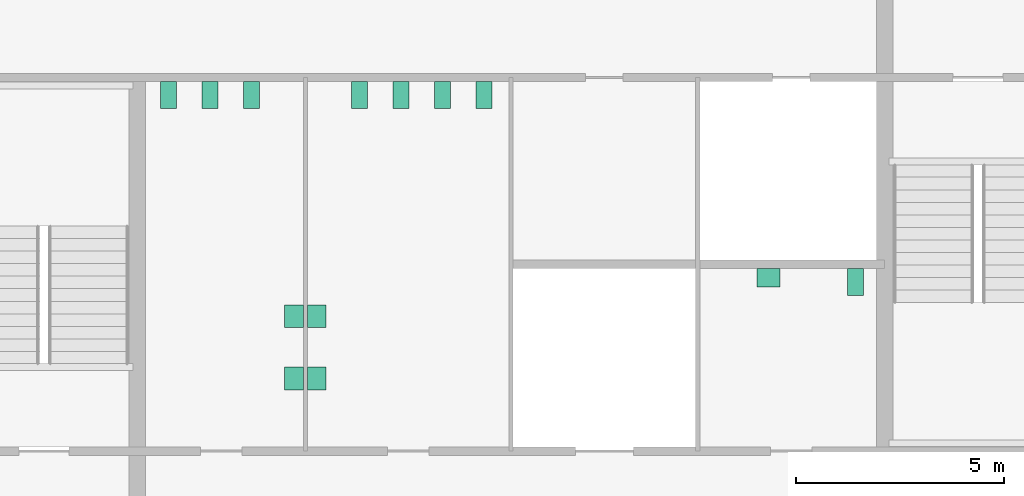
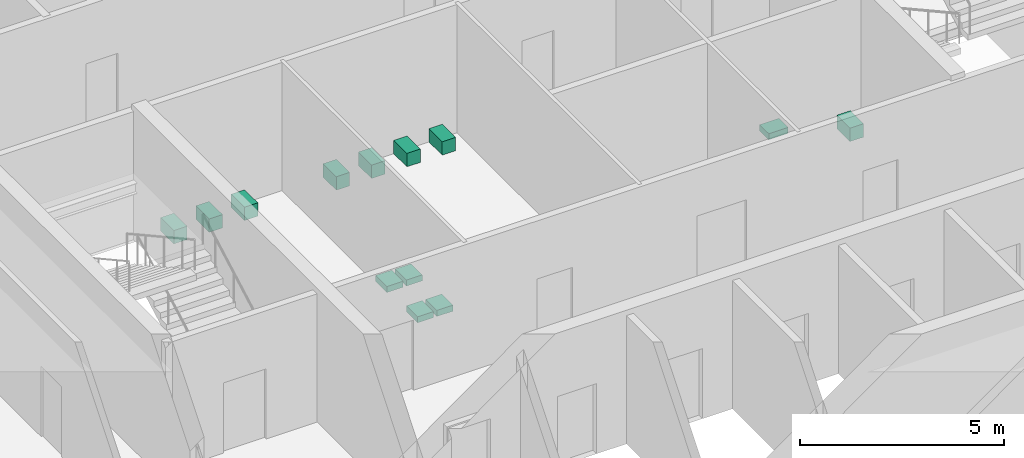
# One storey, part 13 of 13: 13 sanitary terminals.
"""IFC4 building model written with IfcOpenShell, lengths in metres."""

from ifc_helpers import new_model, si_unit, direction, frame, origin, origin_2d, place, context, subcontext, project, spatial, rectangle, extrude, material, type_object, element, save


model = new_model("IFC4")

# Units and contexts
model_context = context("Model", 3, precision=1e-05, world=origin(), true_north=direction((0.0, 1.0)))
body_context = subcontext(model_context, "Body", "Model", "MODEL_VIEW")
ifc_project = project(units=[si_unit("LENGTHUNIT", "METRE"), si_unit("AREAUNIT", "SQUARE_METRE"), si_unit("VOLUMEUNIT", "CUBIC_METRE"), si_unit("PLANEANGLEUNIT", "RADIAN"), si_unit("MASSUNIT", "GRAM", prefix="KILO")], contexts=[model_context])

# Site, building, storey
site_placement = place(None, origin())
site = spatial("IfcSite", under=ifc_project, at=site_placement, CompositionType="ELEMENT")
building_placement = place(site_placement, origin())
building = spatial("IfcBuilding", under=site, at=building_placement, Name="Corais Broadcast Tower", CompositionType="ELEMENT")
storey_placement = place(building_placement, frame((0.0, 0.0, 222.60009765625)))
storey = spatial("IfcBuildingStorey", under=building, at=storey_placement, Name="L51", CompositionType="ELEMENT", Elevation=222.60009765625)

# Sanitary terminals
ifc_material_1 = material(Name="Vitreous china", Category="ceramic")
sanitary_terminal_type_1 = type_object("IfcSanitaryTerminalType", Name="WC pan 380x650", PredefinedType="TOILETPAN", material=ifc_material_1)
for number, where, z_axis, x_axis, name in (
    (1, (18.75, 31.074951171875, 0.0), (0.0, 0.0, 1.0), (1.0, 0.0, 0.0), "SW1 WC pan, male toilets L51"),
    (2, (19.75, 31.074951171875, 0.0), (0.0, 0.0, 1.0), (1.0, 0.0, 0.0), "SW1 WC pan, male toilets L51"),
    (3, (20.75, 31.074951171875, 0.0), (0.0, 0.0, 1.0), (1.0, 0.0, 0.0), "SW1 WC pan, male toilets L51"),
    (4, (23.35009765625, 31.074951171875, 0.0), (0.0, 0.0, 1.0), (1.0, 0.0, 0.0), "SW1 WC pan, female toilets L51"),
    (5, (24.35009765625, 31.074951171875, 0.0), (0.0, 0.0, 1.0), (1.0, 0.0, 0.0), "SW1 WC pan, female toilets L51"),
    (6, (25.35009765625, 31.074951171875, 0.0), (0.0, 0.0, 1.0), (1.0, 0.0, 0.0), "SW1 WC pan, female toilets L51"),
    (7, (26.35009765625, 31.074951171875, 0.0), (0.0, 0.0, 1.0), (1.0, 0.0, 0.0), "SW1 WC pan, female toilets L51"),
    (8, (35.300048828125, 26.574951171875, 0.0), (0.0, 0.0, 1.0), (1.0, 0.0, 0.0), "SW1 WC pan, accessible WC L51"),
):
    element("IfcSanitaryTerminal", number, at=place(storey_placement, frame(where, z_axis=z_axis, x_axis=x_axis)), inside=storey, type_object=sanitary_terminal_type_1, Name=name, PredefinedType="TOILETPAN", context=body_context, shape_type="SweptSolid", body=[
        extrude(rectangle(XDim=0.3798828125, YDim=0.64990234375, at=origin_2d()), origin(), (0.0, 0.0, 1.0), 0.39990234375),
    ])
ifc_material_2 = material(Name="Vitreous china", Category="ceramic")
sanitary_terminal_type_2 = type_object("IfcSanitaryTerminalType", Name="Wash basin 550x450", PredefinedType="WASHHANDBASIN", material=ifc_material_2)
for number, where, z_axis, x_axis, name in (
    (9, (21.77490234375, 24.25, 0.69970703125), (0.0, 0.0, 1.0), (1.0, 0.0, 0.0), "WB1 wash basin, male toilets L51"),
    (10, (21.77490234375, 25.75, 0.69970703125), (0.0, 0.0, 1.0), (1.0, 0.0, 0.0), "WB1 wash basin, male toilets L51"),
    (11, (22.324951171875, 24.25, 0.69970703125), (0.0, 0.0, 1.0), (1.0, 0.0, 0.0), "WB1 wash basin, female toilets L51"),
    (12, (22.324951171875, 25.75, 0.69970703125), (0.0, 0.0, 1.0), (1.0, 0.0, 0.0), "WB1 wash basin, female toilets L51"),
):
    element("IfcSanitaryTerminal", number, at=place(storey_placement, frame(where, z_axis=z_axis, x_axis=x_axis)), inside=storey, type_object=sanitary_terminal_type_2, Name=name, PredefinedType="WASHHANDBASIN", context=body_context, shape_type="SweptSolid", body=[
        extrude(rectangle(XDim=0.449951171875, YDim=0.550048828125, at=origin_2d()), origin(), (0.0, 0.0, 1.0), 0.179931640625),
    ])
sanitary_terminal_placement = place(storey_placement, frame((33.199951171875, 26.675048828125, 0.69970703125), z_axis=(0.0, 0.0, 1.0), x_axis=(1.0, 0.0, 0.0)))
element("IfcSanitaryTerminal", 13, at=sanitary_terminal_placement, inside=storey, type_object=sanitary_terminal_type_2, Name="WB1 wash basin, accessible WC L51", PredefinedType="WASHHANDBASIN", context=body_context, shape_type="SweptSolid", body=[
    extrude(rectangle(XDim=0.550048828125, YDim=0.449951171875, at=origin_2d()), origin(), (0.0, 0.0, 1.0), 0.179931640625),
])

save(model, "model.ifc")
